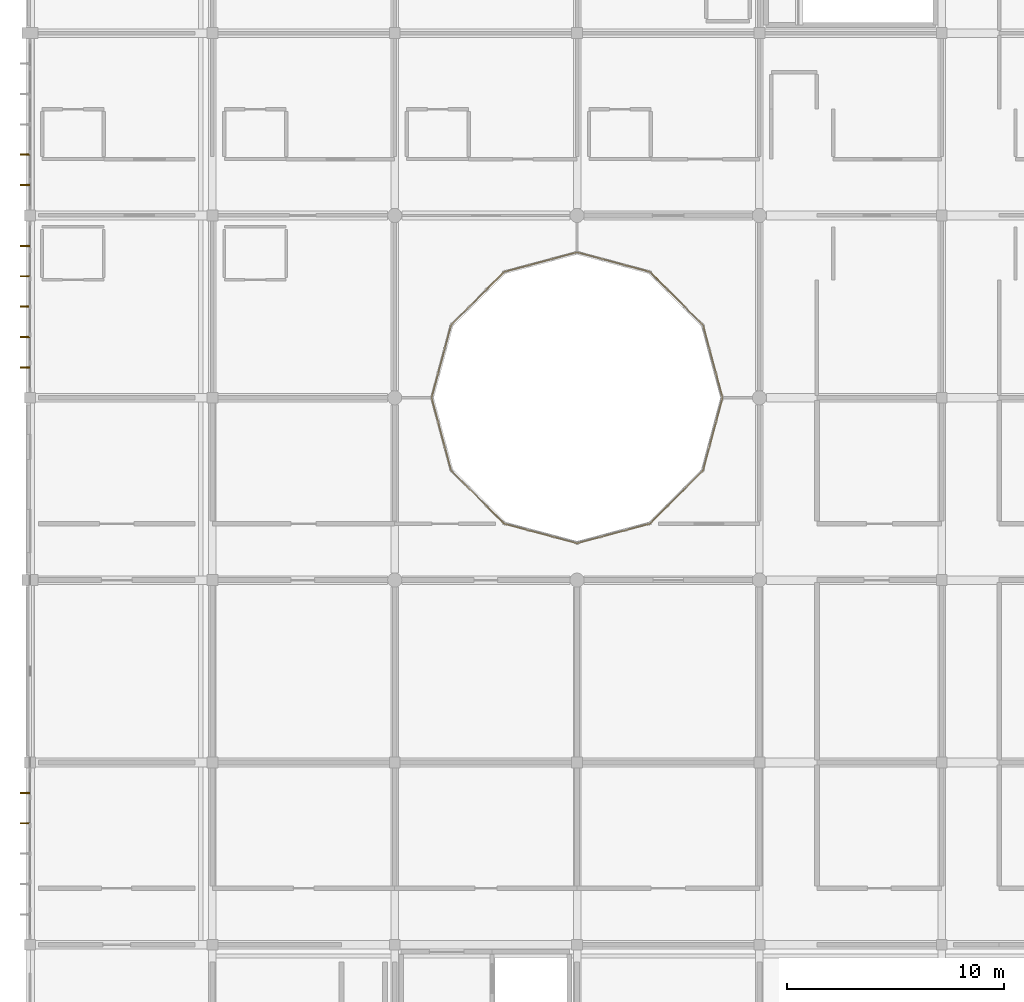
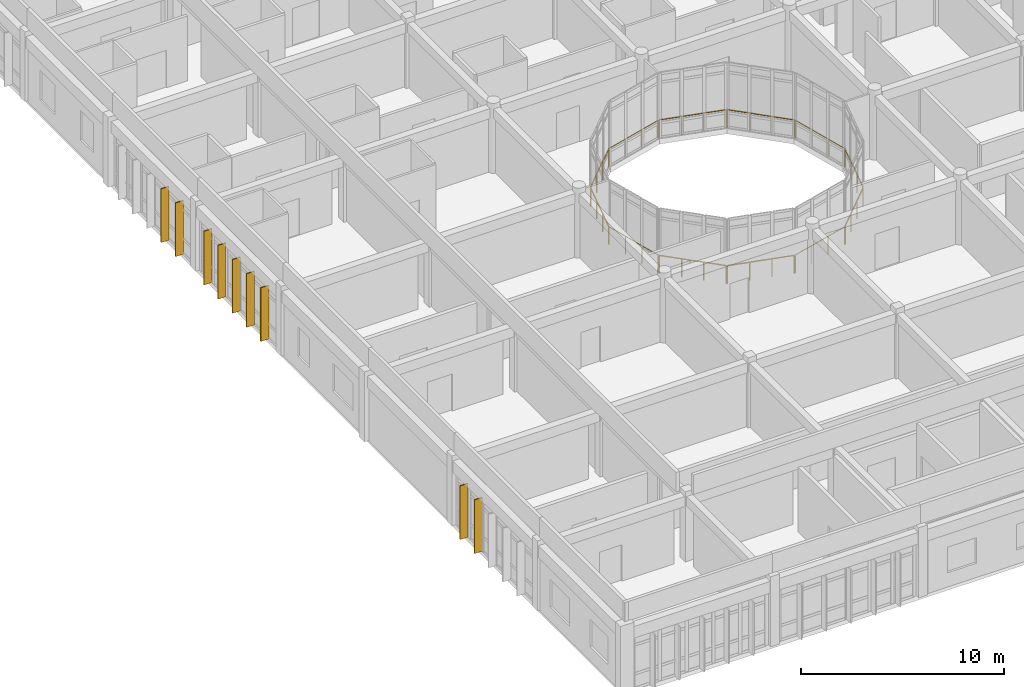
# One storey, part 108 of 119: 12 railings, 9 shading devices.
"""IFC4 building model written with IfcOpenShell, lengths in metres."""

from ifc_helpers import new_model, si_unit, direction, frame, origin, origin_2d, place, context, subcontext, project, spatial, rectangle, circle, extrude, material, material_profile, profile_set, type_object, element, save


model = new_model("IFC4")

# Units and contexts
model_context = context("Model", 3, precision=1e-05, world=origin(), true_north=direction((0.0, 1.0)))
body_context = subcontext(model_context, "Body", "Model", "MODEL_VIEW")
ifc_project = project(units=[si_unit("LENGTHUNIT", "METRE"), si_unit("AREAUNIT", "SQUARE_METRE"), si_unit("VOLUMEUNIT", "CUBIC_METRE"), si_unit("PLANEANGLEUNIT", "RADIAN"), si_unit("MASSUNIT", "GRAM", prefix="KILO")], contexts=[model_context])

# Site, building, storey
site_placement = place(None, origin())
site = spatial("IfcSite", under=ifc_project, at=site_placement, CompositionType="ELEMENT")
building_placement = place(site_placement, origin())
building = spatial("IfcBuilding", under=site, at=building_placement, Name="Bramfleet General Hospital", CompositionType="ELEMENT")
storey_placement = place(building_placement, frame((0.0, 0.0, 14.39990234375)))
storey = spatial("IfcBuildingStorey", under=building, at=storey_placement, Name="L03", CompositionType="ELEMENT", Elevation=14.39990234375)

# Railings
ifc_material_1 = material(Name="Stainless steel 1.4401 safety balustrade", Category="steel")
railing_type = type_object("IfcRailingType", Name="RAIL-EXT-GUARD", PredefinedType="GUARDRAIL", material=ifc_material_1)
railing_1_placement = place(storey_placement, frame((18.506103515625, 83.964599609375, 0.0)))
element("IfcRailing", 1, at=railing_1_placement, inside=storey, type_object=railing_type, Name="L03 Safety Guard Rail 117", PredefinedType="GUARDRAIL", context=body_context, shape_type="SweptSolid", body=[
    extrude(circle(Radius=0.02392578125, at=origin_2d()), frame((0.0, 0.0, 1.076171875), z_axis=(0.258772014909, -0.965938426764, 0.0), x_axis=(0.965938426764, 0.258772014909, 0.0)), (0.0, 0.0, 1.0), 3.396484375),
    extrude(circle(Radius=0.02099609375, at=origin_2d()), origin(), (0.0, 0.0, 1.0), 1.052001953125),
    extrude(circle(Radius=0.02099609375, at=origin_2d()), frame((0.29296875, -1.093505859375, 0.0)), (0.0, 0.0, 1.0), 1.052001953125),
    extrude(circle(Radius=0.02099609375, at=origin_2d()), frame((0.5859375, -2.187255859375, 0.0)), (0.0, 0.0, 1.0), 1.052001953125),
    extrude(circle(Radius=0.02099609375, at=origin_2d()), frame((0.87890625, -3.28076171875, 0.0)), (0.0, 0.0, 1.0), 1.052001953125),
])
railing_2_placement = place(storey_placement, frame((19.420654296875, 80.622314453125, 0.0)))
element("IfcRailing", 2, at=railing_2_placement, inside=storey, type_object=railing_type, Name="L03 Safety Guard Rail 118", PredefinedType="GUARDRAIL", context=body_context, shape_type="SweptSolid", body=[
    extrude(circle(Radius=0.02392578125, at=origin_2d()), frame((0.0, 0.0, 1.076171875), z_axis=(0.707106781187, -0.707106781187, 0.0), x_axis=(0.707106781187, 0.707106781187, 0.0)), (0.0, 0.0, 1.0), 3.396484375),
    extrude(circle(Radius=0.02099609375, at=origin_2d()), origin(), (0.0, 0.0, 1.0), 1.052001953125),
    extrude(circle(Radius=0.02099609375, at=origin_2d()), frame((0.800537109375, -0.800537109375, 0.0)), (0.0, 0.0, 1.0), 1.052001953125),
    extrude(circle(Radius=0.02099609375, at=origin_2d()), frame((1.60107421875, -1.60107421875, 0.0)), (0.0, 0.0, 1.0), 1.052001953125),
    extrude(circle(Radius=0.02099609375, at=origin_2d()), frame((2.401611328125, -2.401611328125, 0.0)), (0.0, 0.0, 1.0), 1.052001953125),
])
railing_3_placement = place(storey_placement, frame((21.8837890625, 78.18505859375, 0.0)))
element("IfcRailing", 3, at=railing_3_placement, inside=storey, type_object=railing_type, Name="L03 Safety Guard Rail 119", PredefinedType="GUARDRAIL", context=body_context, shape_type="SweptSolid", body=[
    extrude(circle(Radius=0.02392578125, at=origin_2d()), frame((0.0, 0.0, 1.076171875), z_axis=(0.965920457522, -0.258839080781, 0.0), x_axis=(0.258839080781, 0.965920457522, 0.0)), (0.0, 0.0, 1.0), 3.396484375),
    extrude(circle(Radius=0.02099609375, at=origin_2d()), origin(), (0.0, 0.0, 1.0), 1.052001953125),
    extrude(circle(Radius=0.02099609375, at=origin_2d()), frame((1.093505859375, -0.29296875, 0.0)), (0.0, 0.0, 1.0), 1.052001953125),
    extrude(circle(Radius=0.02099609375, at=origin_2d()), frame((2.187255859375, -0.586181640625, 0.0)), (0.0, 0.0, 1.0), 1.052001953125),
    extrude(circle(Radius=0.02099609375, at=origin_2d()), frame((3.28076171875, -0.879150390625, 0.0)), (0.0, 0.0, 1.0), 1.052001953125),
])
railing_4_placement = place(storey_placement, frame((25.235595703125, 77.305908203125, 0.0)))
element("IfcRailing", 4, at=railing_4_placement, inside=storey, type_object=railing_type, Name="L03 Safety Guard Rail 120", PredefinedType="GUARDRAIL", context=body_context, shape_type="SweptSolid", body=[
    extrude(circle(Radius=0.02392578125, at=origin_2d()), frame((0.0, 0.0, 1.076171875), z_axis=(0.965915641243, 0.25885705322, 0.0), x_axis=(-0.25885705322, 0.965915641243, 0.0)), (0.0, 0.0, 1.0), 3.396240234375),
    extrude(circle(Radius=0.02099609375, at=origin_2d()), origin(), (0.0, 0.0, 1.0), 1.052001953125),
    extrude(circle(Radius=0.02099609375, at=origin_2d()), frame((1.093505859375, 0.29296875, 0.0)), (0.0, 0.0, 1.0), 1.052001953125),
    extrude(circle(Radius=0.02099609375, at=origin_2d()), frame((2.18701171875, 0.586181640625, 0.0)), (0.0, 0.0, 1.0), 1.052001953125),
    extrude(circle(Radius=0.02099609375, at=origin_2d()), frame((3.280517578125, 0.879150390625, 0.0)), (0.0, 0.0, 1.0), 1.052001953125),
])
railing_5_placement = place(storey_placement, frame((28.577880859375, 78.220703125, 0.0)))
element("IfcRailing", 5, at=railing_5_placement, inside=storey, type_object=railing_type, Name="L03 Safety Guard Rail 121", PredefinedType="GUARDRAIL", context=body_context, shape_type="SweptSolid", body=[
    extrude(circle(Radius=0.02392578125, at=origin_2d()), frame((0.0, 0.0, 1.076171875), z_axis=(0.707106781187, 0.707106781187, 0.0), x_axis=(-0.707106781187, 0.707106781187, 0.0)), (0.0, 0.0, 1.0), 3.396484375),
    extrude(circle(Radius=0.02099609375, at=origin_2d()), origin(), (0.0, 0.0, 1.0), 1.052001953125),
    extrude(circle(Radius=0.02099609375, at=origin_2d()), frame((0.800537109375, 0.800537109375, 0.0)), (0.0, 0.0, 1.0), 1.052001953125),
    extrude(circle(Radius=0.02099609375, at=origin_2d()), frame((1.60107421875, 1.60107421875, 0.0)), (0.0, 0.0, 1.0), 1.052001953125),
    extrude(circle(Radius=0.02099609375, at=origin_2d()), frame((2.401611328125, 2.401611328125, 0.0)), (0.0, 0.0, 1.0), 1.052001953125),
])
railing_6_placement = place(storey_placement, frame((31.014892578125, 80.683837890625, 0.0)))
element("IfcRailing", 6, at=railing_6_placement, inside=storey, type_object=railing_type, Name="L03 Safety Guard Rail 122", PredefinedType="GUARDRAIL", context=body_context, shape_type="SweptSolid", body=[
    extrude(circle(Radius=0.02392578125, at=origin_2d()), frame((0.0, 0.0, 1.076171875), z_axis=(0.258839080781, 0.965920457522, 0.0), x_axis=(-0.965920457522, 0.258839080781, 0.0)), (0.0, 0.0, 1.0), 3.396484375),
    extrude(circle(Radius=0.02099609375, at=origin_2d()), origin(), (0.0, 0.0, 1.0), 1.052001953125),
    extrude(circle(Radius=0.02099609375, at=origin_2d()), frame((0.29296875, 1.093505859375, 0.0)), (0.0, 0.0, 1.0), 1.052001953125),
    extrude(circle(Radius=0.02099609375, at=origin_2d()), frame((0.586181640625, 2.187255859375, 0.0)), (0.0, 0.0, 1.0), 1.052001953125),
    extrude(circle(Radius=0.02099609375, at=origin_2d()), frame((0.879150390625, 3.28076171875, 0.0)), (0.0, 0.0, 1.0), 1.052001953125),
])
railing_7_placement = place(storey_placement, frame((31.89404296875, 84.035400390625, 0.0)))
element("IfcRailing", 7, at=railing_7_placement, inside=storey, type_object=railing_type, Name="L03 Safety Guard Rail 123", PredefinedType="GUARDRAIL", context=body_context, shape_type="SweptSolid", body=[
    extrude(circle(Radius=0.02392578125, at=origin_2d()), frame((0.0, 0.0, 1.076171875), z_axis=(-0.258839080781, 0.965920457522, 0.0), x_axis=(-0.965920457522, -0.258839080781, 0.0)), (0.0, 0.0, 1.0), 3.396484375),
    extrude(circle(Radius=0.02099609375, at=origin_2d()), origin(), (0.0, 0.0, 1.0), 1.052001953125),
    extrude(circle(Radius=0.02099609375, at=origin_2d()), frame((-0.29296875, 1.093505859375, 0.0)), (0.0, 0.0, 1.0), 1.052001953125),
    extrude(circle(Radius=0.02099609375, at=origin_2d()), frame((-0.586181640625, 2.187255859375, 0.0)), (0.0, 0.0, 1.0), 1.052001953125),
    extrude(circle(Radius=0.02099609375, at=origin_2d()), frame((-0.879150390625, 3.28076171875, 0.0)), (0.0, 0.0, 1.0), 1.052001953125),
])
railing_8_placement = place(storey_placement, frame((30.9794921875, 87.377685546875, 0.0)))
element("IfcRailing", 8, at=railing_8_placement, inside=storey, type_object=railing_type, Name="L03 Safety Guard Rail 124", PredefinedType="GUARDRAIL", context=body_context, shape_type="SweptSolid", body=[
    extrude(circle(Radius=0.02392578125, at=origin_2d()), frame((0.0, 0.0, 1.076171875), z_axis=(-0.707106781187, 0.707106781187, 0.0), x_axis=(-0.707106781187, -0.707106781187, 0.0)), (0.0, 0.0, 1.0), 3.396484375),
    extrude(circle(Radius=0.02099609375, at=origin_2d()), origin(), (0.0, 0.0, 1.0), 1.052001953125),
    extrude(circle(Radius=0.02099609375, at=origin_2d()), frame((-0.800537109375, 0.800537109375, 0.0)), (0.0, 0.0, 1.0), 1.052001953125),
    extrude(circle(Radius=0.02099609375, at=origin_2d()), frame((-1.60107421875, 1.60107421875, 0.0)), (0.0, 0.0, 1.0), 1.052001953125),
    extrude(circle(Radius=0.02099609375, at=origin_2d()), frame((-2.401611328125, 2.401611328125, 0.0)), (0.0, 0.0, 1.0), 1.052001953125),
])
railing_9_placement = place(storey_placement, frame((28.51611328125, 89.81494140625, 0.0)))
element("IfcRailing", 9, at=railing_9_placement, inside=storey, type_object=railing_type, Name="L03 Safety Guard Rail 125", PredefinedType="GUARDRAIL", context=body_context, shape_type="SweptSolid", body=[
    extrude(circle(Radius=0.02392578125, at=origin_2d()), frame((0.0, 0.0, 1.076171875), z_axis=(-0.965915641243, 0.25885705322, 0.0), x_axis=(-0.25885705322, -0.965915641243, 0.0)), (0.0, 0.0, 1.0), 3.396240234375),
    extrude(circle(Radius=0.02099609375, at=origin_2d()), origin(), (0.0, 0.0, 1.0), 1.052001953125),
    extrude(circle(Radius=0.02099609375, at=origin_2d()), frame((-1.093505859375, 0.29296875, 0.0)), (0.0, 0.0, 1.0), 1.052001953125),
    extrude(circle(Radius=0.02099609375, at=origin_2d()), frame((-2.18701171875, 0.586181640625, 0.0)), (0.0, 0.0, 1.0), 1.052001953125),
    extrude(circle(Radius=0.02099609375, at=origin_2d()), frame((-3.280517578125, 0.879150390625, 0.0)), (0.0, 0.0, 1.0), 1.052001953125),
])
railing_10_placement = place(storey_placement, frame((25.16455078125, 90.694091796875, 0.0)))
element("IfcRailing", 10, at=railing_10_placement, inside=storey, type_object=railing_type, Name="L03 Safety Guard Rail 126", PredefinedType="GUARDRAIL", context=body_context, shape_type="SweptSolid", body=[
    extrude(circle(Radius=0.02392578125, at=origin_2d()), frame((0.0, 0.0, 1.076171875), z_axis=(-0.965920457522, -0.258839080781, 0.0), x_axis=(0.258839080781, -0.965920457522, 0.0)), (0.0, 0.0, 1.0), 3.396484375),
    extrude(circle(Radius=0.02099609375, at=origin_2d()), origin(), (0.0, 0.0, 1.0), 1.052001953125),
    extrude(circle(Radius=0.02099609375, at=origin_2d()), frame((-1.093505859375, -0.29296875, 0.0)), (0.0, 0.0, 1.0), 1.052001953125),
    extrude(circle(Radius=0.02099609375, at=origin_2d()), frame((-2.187255859375, -0.586181640625, 0.0)), (0.0, 0.0, 1.0), 1.052001953125),
    extrude(circle(Radius=0.02099609375, at=origin_2d()), frame((-3.28076171875, -0.879150390625, 0.0)), (0.0, 0.0, 1.0), 1.052001953125),
])
railing_11_placement = place(storey_placement, frame((21.822265625, 89.779296875, 0.0)))
element("IfcRailing", 11, at=railing_11_placement, inside=storey, type_object=railing_type, Name="L03 Safety Guard Rail 127", PredefinedType="GUARDRAIL", context=body_context, shape_type="SweptSolid", body=[
    extrude(circle(Radius=0.02392578125, at=origin_2d()), frame((0.0, 0.0, 1.076171875), z_axis=(-0.707106781187, -0.707106781187, 0.0), x_axis=(0.707106781187, -0.707106781187, 0.0)), (0.0, 0.0, 1.0), 3.396484375),
    extrude(circle(Radius=0.02099609375, at=origin_2d()), origin(), (0.0, 0.0, 1.0), 1.052001953125),
    extrude(circle(Radius=0.02099609375, at=origin_2d()), frame((-0.800537109375, -0.800537109375, 0.0)), (0.0, 0.0, 1.0), 1.052001953125),
    extrude(circle(Radius=0.02099609375, at=origin_2d()), frame((-1.60107421875, -1.60107421875, 0.0)), (0.0, 0.0, 1.0), 1.052001953125),
    extrude(circle(Radius=0.02099609375, at=origin_2d()), frame((-2.401611328125, -2.401611328125, 0.0)), (0.0, 0.0, 1.0), 1.052001953125),
])
railing_12_placement = place(storey_placement, frame((19.385009765625, 87.316162109375, 0.0)))
element("IfcRailing", 12, at=railing_12_placement, inside=storey, type_object=railing_type, Name="L03 Safety Guard Rail 128", PredefinedType="GUARDRAIL", context=body_context, shape_type="SweptSolid", body=[
    extrude(circle(Radius=0.02392578125, at=origin_2d()), frame((0.0, 0.0, 1.076171875), z_axis=(-0.258772014909, -0.965938426764, 0.0), x_axis=(0.965938426764, -0.258772014909, 0.0)), (0.0, 0.0, 1.0), 3.396484375),
    extrude(circle(Radius=0.02099609375, at=origin_2d()), origin(), (0.0, 0.0, 1.0), 1.052001953125),
    extrude(circle(Radius=0.02099609375, at=origin_2d()), frame((-0.29296875, -1.093505859375, 0.0)), (0.0, 0.0, 1.0), 1.052001953125),
    extrude(circle(Radius=0.02099609375, at=origin_2d()), frame((-0.5859375, -2.187255859375, 0.0)), (0.0, 0.0, 1.0), 1.052001953125),
    extrude(circle(Radius=0.02099609375, at=origin_2d()), frame((-0.87890625, -3.28076171875, 0.0)), (0.0, 0.0, 1.0), 1.052001953125),
])

# Shading devices
ifc_material_2 = material(Name="Treated European larch timber", Category="wood")
ifc_material_profile = material_profile(ifc_material_2, rectangle(XDim=0.06494140625, YDim=0.449951171875, at=origin_2d()), Name="LARCH FIN 450x65")
ifc_profile_set = profile_set([ifc_material_profile], Name="Treated European larch timber")
shading_device_type = type_object("IfcShadingDeviceType", Name="SHD-FIN-450", PredefinedType="USERDEFINED", material=ifc_profile_set)
for number, where, z_axis, x_axis, name in (
    (13, (-0.239990234375, 64.39990234375, -0.02001953125), (0.0, 0.0, 1.0), (0.0, 1.0, 0.0), "L03 Larch Timber Shading Fin 522"),
    (14, (-0.239990234375, 65.800048828125, -0.02001953125), (0.0, 0.0, 1.0), (0.0, 1.0, 0.0), "L03 Larch Timber Shading Fin 523"),
    (15, (-0.239990234375, 85.39990234375, -0.02001953125), (0.0, 0.0, 1.0), (0.0, 1.0, 0.0), "L03 Larch Timber Shading Fin 524"),
    (16, (-0.239990234375, 86.800048828125, -0.02001953125), (0.0, 0.0, 1.0), (0.0, 1.0, 0.0), "L03 Larch Timber Shading Fin 525"),
    (17, (-0.239990234375, 88.199951171875, -0.02001953125), (0.0, 0.0, 1.0), (0.0, 1.0, 0.0), "L03 Larch Timber Shading Fin 526"),
    (18, (-0.239990234375, 89.60009765625, -0.02001953125), (0.0, 0.0, 1.0), (0.0, 1.0, 0.0), "L03 Larch Timber Shading Fin 527"),
    (19, (-0.239990234375, 91.0, -0.02001953125), (0.0, 0.0, 1.0), (0.0, 1.0, 0.0), "L03 Larch Timber Shading Fin 528"),
    (20, (-0.239990234375, 93.800048828125, -0.02001953125), (0.0, 0.0, 1.0), (0.0, 1.0, 0.0), "L03 Larch Timber Shading Fin 529"),
    (21, (-0.239990234375, 95.199951171875, -0.02001953125), (0.0, 0.0, 1.0), (0.0, 1.0, 0.0), "L03 Larch Timber Shading Fin 530"),
):
    element("IfcShadingDevice", number, at=place(storey_placement, frame(where, z_axis=z_axis, x_axis=x_axis)), inside=storey, type_object=shading_device_type, Name=name, ObjectType="Fin", PredefinedType="USERDEFINED", context=body_context, shape_type="SweptSolid", body=[
        extrude(rectangle(XDim=0.06494140625, YDim=0.449951171875, at=origin_2d()), origin(), (0.0, 0.0, 1.0), 3.22021484375),
    ])

save(model, "model.ifc")
